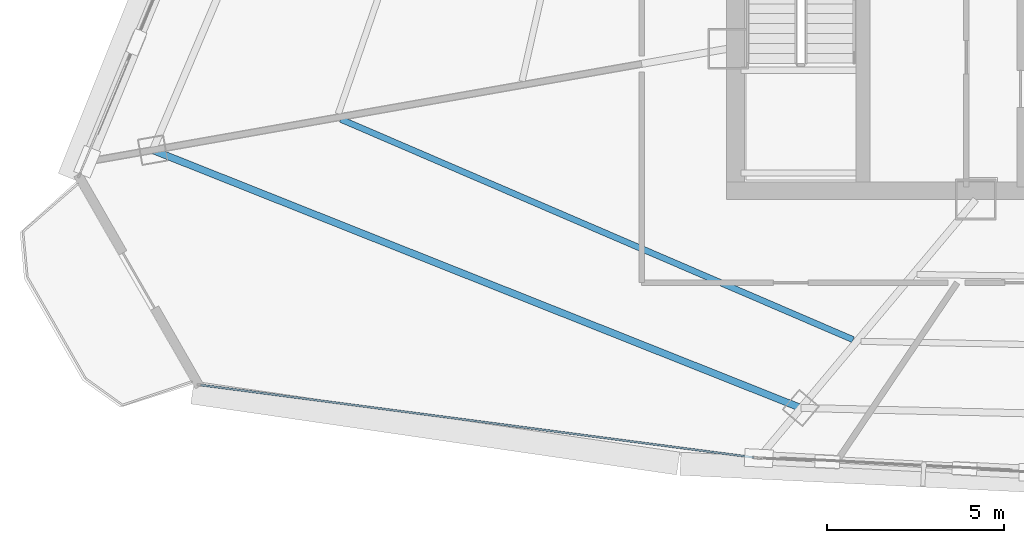
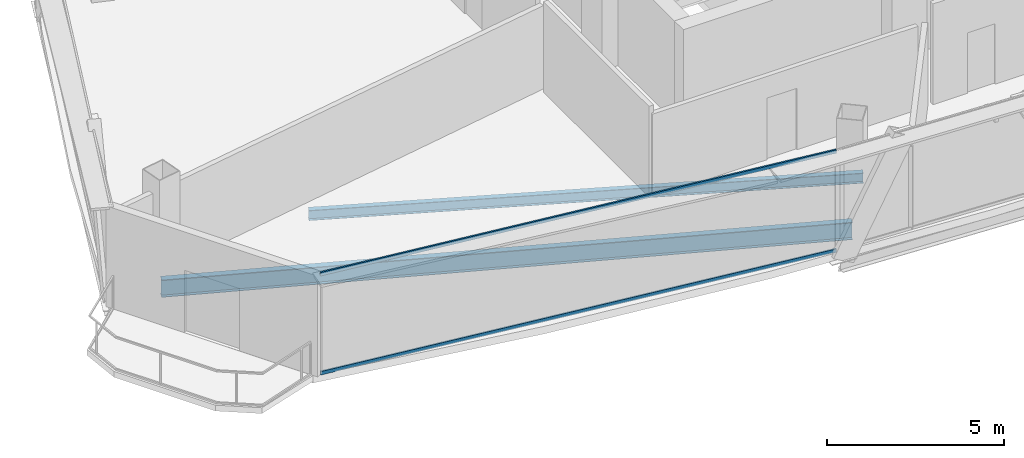
# One storey, part 3 of 35: 2 beams, 2 members, 1 element without a shape of its own.
"""IFC4 building model written with IfcOpenShell, lengths in metres."""

from ifc_helpers import new_model, si_unit, direction, frame, origin, origin_2d, place, context, subcontext, project, spatial, hollow_rectangle, i_section, extrude, source, transform, mapped, material, layer, layer_set, material_profile, profile_set, type_object, element, aggregate, save


model = new_model("IFC4")

# Units and contexts
model_context = context("Model", 3, precision=1e-05, world=origin(), true_north=direction((0.0, 1.0)))
body_context = subcontext(model_context, "Body", "Model", "MODEL_VIEW")
ifc_project = project(units=[si_unit("LENGTHUNIT", "METRE"), si_unit("AREAUNIT", "SQUARE_METRE"), si_unit("VOLUMEUNIT", "CUBIC_METRE"), si_unit("PLANEANGLEUNIT", "RADIAN"), si_unit("MASSUNIT", "GRAM", prefix="KILO"), si_unit("THERMODYNAMICTEMPERATUREUNIT", "KELVIN"), si_unit("POWERUNIT", "WATT")], contexts=[model_context])

# Site, building, storey
site_placement = place(None, origin())
site = spatial("IfcSite", under=ifc_project, at=site_placement, CompositionType="ELEMENT")
building_placement = place(site_placement, origin())
building = spatial("IfcBuilding", under=site, at=building_placement, Name="Yunzhuo Pagoda Commons", CompositionType="ELEMENT")
storey_placement = place(building_placement, frame((0.0, 0.0, 303.669921875)))
storey = spatial("IfcBuildingStorey", under=building, at=storey_placement, Name="L76", CompositionType="ELEMENT", Elevation=303.669921875)

# Beams
ifc_material_1 = material(Name="Structural steel Q355B", Category="steel")
ifc_material_profile_1 = material_profile(ifc_material_1, i_section(OverallWidth=0.199951171875, OverallDepth=0.60009765625, WebThickness=0.010986328125, FlangeThickness=0.01708984375, at=origin_2d()), Name="Structural steel Q355B")
ifc_profile_set_1 = profile_set([ifc_material_profile_1], Name="Structural steel Q355B")
beam_type_1 = type_object("IfcBeamType", Name="B-RG3 Beam HN 600x200x11x17", PredefinedType="BEAM", material=ifc_profile_set_1)
shared_shape_1 = source(origin(), body_context, "Body", "SweptSolid", [
    extrude(i_section(OverallWidth=0.199951171875, OverallDepth=0.60009765625, WebThickness=0.010986328125, FlangeThickness=0.01708984375, at=origin_2d()), origin(), (0.0, 0.0, 1.0), 19.70458984375),
])
beam_1_placement = place(storey_placement, frame((19.33837890625, 28.646240234375, -0.559814453125), z_axis=(0.929153602905, -0.369693903396, 0.0), x_axis=(0.369693903396, 0.929153602905, 0.0)))
element("IfcBeam", 1, at=beam_1_placement, inside=storey, type_object=beam_type_1, Name="L76 column-ring beam 12", PredefinedType="BEAM", context=body_context, shape_type="MappedRepresentation", body=[
    mapped(shared_shape_1, transform((0.0, 0.0, 0.0), scale=1.0)),
])
ifc_material_profile_2 = material_profile(ifc_material_1, i_section(OverallWidth=0.175048828125, OverallDepth=0.35009765625, WebThickness=0.007080078125, FlangeThickness=0.010986328125, at=origin_2d()), Name="Structural steel Q355B")
ifc_profile_set_2 = profile_set([ifc_material_profile_2], Name="Structural steel Q355B")
beam_type_2 = type_object("IfcBeamType", Name="B-JS2 Joist HN 350x175x7x11", PredefinedType="JOIST", material=ifc_profile_set_2)
shared_shape_2 = source(origin(), body_context, "Body", "SweptSolid", [
    extrude(i_section(OverallWidth=0.175048828125, OverallDepth=0.35009765625, WebThickness=0.007080078125, FlangeThickness=0.010986328125, at=origin_2d()), origin(), (0.0, 0.0, 1.0), 15.757568359375),
])
beam_2_placement = place(storey_placement, frame((24.647705078125, 29.5185546875, -0.434814453125), z_axis=(0.918597596679, -0.395194199573, 0.0), x_axis=(0.395194199573, 0.918597596679, 0.0)))
element("IfcBeam", 2, at=beam_2_placement, inside=storey, type_object=beam_type_2, Name="L76 composite ring joist 2.12", PredefinedType="JOIST", context=body_context, shape_type="MappedRepresentation", body=[
    mapped(shared_shape_2, transform((0.0, 0.0, 0.0), scale=1.0)),
])

# Curtain wall, members
ifc_material_2 = material(Name="Anodized aluminium 6063-T6", Category="aluminium")
ifc_layer = layer(ifc_material_2, 0.139892578125)
ifc_layer_set = layer_set([ifc_layer], Name="Anodized aluminium 6063-T6")
curtain_wall_type = type_object("IfcCurtainWallType", Name="CW-HI High-Zone Ribbon Curtain Wall", PredefinedType="NOTDEFINED", material=ifc_layer_set)
curtain_wall_placement = place(storey_placement, origin())
curtain_wall = element("IfcCurtainWall", 3, at=curtain_wall_placement, inside=storey, type_object=curtain_wall_type, Name="L76 curtain wall CW-L76-F1B1", PredefinedType="NOTDEFINED")
ifc_material_profile_3 = material_profile(ifc_material_2, hollow_rectangle(XDim=0.054931640625, YDim=0.1201171875, WallThickness=0.00341796875, at=origin_2d()), Name="Anodized aluminium 6063-T6")
ifc_profile_set_3 = profile_set([ifc_material_profile_3], Name="Anodized aluminium 6063-T6")
member_type = type_object("IfcMemberType", Name="CW-HI-T Transom RHS 120x55x3.5", PredefinedType="USERDEFINED", material=ifc_profile_set_3)
shared_shape_3 = source(origin(), body_context, "Body", "SweptSolid", [
    extrude(hollow_rectangle(XDim=0.054931640625, YDim=0.1201171875, WallThickness=0.00341796875, at=origin_2d()), origin(), (0.0, 0.0, 1.0), 15.765625),
])
member_1_placement = place(storey_placement, frame((20.692626953125, 22.010009765625, 0.027587890625), z_axis=(0.99153396289, -0.129847604661, 0.0), x_axis=(0.129847604661, 0.99153396289, 0.0)))
member_1 = element("IfcMember", 4, at=member_1_placement, type_object=member_type, Name="CW transom 1.1", ObjectType="TRANSOM", PredefinedType="USERDEFINED", context=body_context, shape_type="MappedRepresentation", body=[
    mapped(shared_shape_3, transform((0.0, 0.0, 0.0), scale=1.0)),
])
member_2_placement = place(storey_placement, frame((20.692626953125, 22.010009765625, 3.442626953125), z_axis=(0.99153396289, -0.129847604661, 0.0), x_axis=(0.129847604661, 0.99153396289, 0.0)))
member_2 = element("IfcMember", 5, at=member_2_placement, type_object=member_type, Name="CW transom 1.2", ObjectType="TRANSOM", PredefinedType="USERDEFINED", context=body_context, shape_type="MappedRepresentation", body=[
    mapped(shared_shape_3, transform((0.0, 0.0, 0.0), scale=1.0)),
])
aggregate(curtain_wall, [member_1, member_2])

save(model, "model.ifc")
